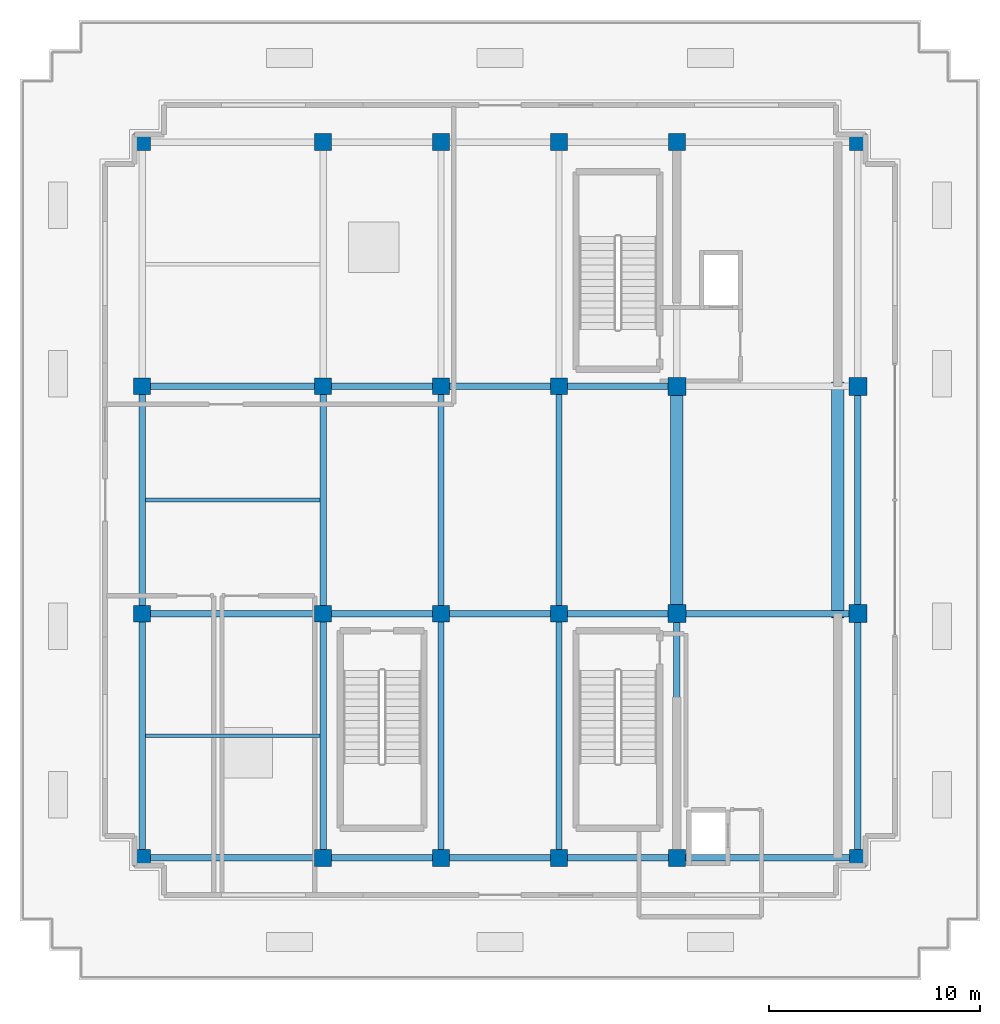
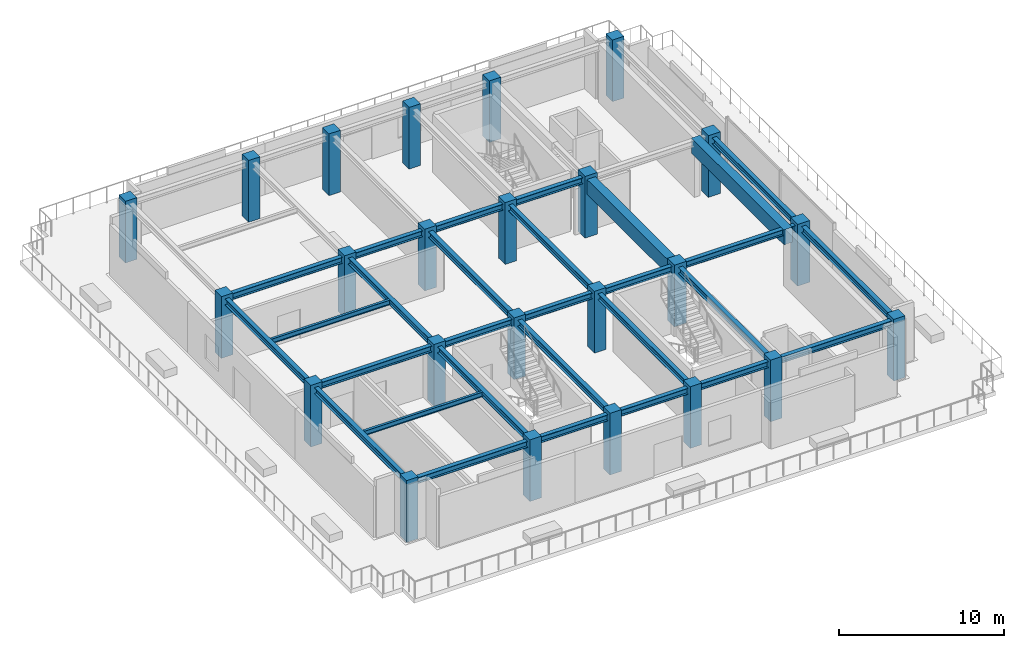
# One storey, part 1 of 13: 29 beams, 24 columns.
"""IFC4 building model written with IfcOpenShell, lengths in metres."""

import ifcopenshell
import ifcopenshell.guid

model = None  # the IFC model being written
_history = None  # IfcOwnerHistory: only IFC2X3 demands one
_inside = {}  # id of a spatial element -> (the spatial element, [elements in it])
_under = {}  # id of a project, library or spatial element -> (it, [spatial elements below it])
_declared = {}  # id of a project -> (the project, [libraries it declares])
_typed = {}  # id of a type object -> (the type object, [elements of that type])
_made_of = {}  # id of a material, layer set ... -> (it, [elements and type objects made of it])


def new_model(schema):
    """Start an empty IFC model of exactly this schema.

    Asked for "IFC4X3", IfcOpenShell would pick the latest addendum, in which some entities
    have other attributes; the version numbers below select the first issue.
    IFC2X3 requires an IfcOwnerHistory on every rooted entity: one is made here for all.
    """
    global model, _history
    if schema == "IFC4X3":
        model = ifcopenshell.file(schema_version=(4, 3, 0, 0))
    else:
        model = ifcopenshell.file(schema=schema)
    _inside.clear()
    _under.clear()
    _declared.clear()
    _typed.clear()
    _made_of.clear()
    _history = None
    if model.schema == "IFC2X3":
        org = make("IfcOrganization", Name="unknown")
        user = make(
            "IfcPersonAndOrganization",
            ThePerson=make("IfcPerson", FamilyName="unknown"),
            TheOrganization=org,
        )
        app = make(
            "IfcApplication",
            ApplicationDeveloper=org,
            Version="unknown",
            ApplicationFullName="unknown",
            ApplicationIdentifier="unknown",
        )
        _history = make(
            "IfcOwnerHistory",
            OwningUser=user,
            OwningApplication=app,
            ChangeAction="ADDED",
            CreationDate=0,
        )
    return model


def make(cls, **values):
    """One entity of the class cls with the attributes given. An attribute that is None is left unset."""
    return model.create_entity(
        cls, **{name: value for name, value in values.items() if value is not None}
    )


def rooted(cls, **values):
    """An entity with a GlobalId (a new one), such as an element, a storey or a relation."""
    return make(cls, GlobalId=ifcopenshell.guid.new(), OwnerHistory=_history, **values)


def si_unit(unit_type, name, prefix=None):
    """IfcSIUnit, for example si_unit("LENGTHUNIT", "METRE", prefix="MILLI")."""
    return make("IfcSIUnit", UnitType=unit_type, Prefix=prefix, Name=name)


def assignment(units):
    """IfcUnitAssignment: the units of a project."""
    return None if units is None else make("IfcUnitAssignment", Units=units)


def point(xyz):
    """IfcCartesianPoint."""
    return None if xyz is None else make("IfcCartesianPoint", Coordinates=xyz)


def direction(xyz):
    """IfcDirection."""
    return None if xyz is None else make("IfcDirection", DirectionRatios=xyz)


def frame(location, z_axis=None, x_axis=None):
    """IfcAxis2Placement3D, a coordinate frame: its origin and axes. An axis left out is left unset."""
    return make(
        "IfcAxis2Placement3D",
        Location=point(location),
        Axis=direction(z_axis),
        RefDirection=direction(x_axis),
    )


def frame_2d(location, x_axis=None):
    """IfcAxis2Placement2D, a coordinate frame in the plane: its origin and x axis."""
    return make(
        "IfcAxis2Placement2D", Location=point(location), RefDirection=direction(x_axis)
    )


def origin():
    """The frame at (0, 0, 0) with its axes left unset."""
    return frame((0.0, 0.0, 0.0))


def origin_2d():
    """The frame at (0, 0) in the plane with its x axis left unset."""
    return frame_2d((0.0, 0.0))


def place(relative_to, where):
    """IfcLocalPlacement: puts the frame where relative to a parent placement (None: the world)."""
    return make(
        "IfcLocalPlacement", PlacementRelTo=relative_to, RelativePlacement=where
    )


def context(
    kind, dimensions, precision=None, world=None, true_north=None, identifier=None
):
    """IfcGeometricRepresentationContext, for example the 3D "Model" context."""
    return make(
        "IfcGeometricRepresentationContext",
        ContextIdentifier=identifier,
        ContextType=kind,
        CoordinateSpaceDimension=dimensions,
        Precision=precision,
        WorldCoordinateSystem=world,
        TrueNorth=true_north,
    )


def subcontext(parent, identifier, kind, view, scale=None):
    """IfcGeometricRepresentationSubContext, for example "Body" below "Model"."""
    return make(
        "IfcGeometricRepresentationSubContext",
        ContextIdentifier=identifier,
        ContextType=kind,
        ParentContext=parent,
        TargetScale=scale,
        TargetView=view,
    )


def project(units=None, contexts=None):
    """IfcProject with its units and contexts."""
    return rooted(
        "IfcProject",
        Name="project",
        RepresentationContexts=contexts,
        UnitsInContext=assignment(units),
    )


def spatial(cls, under=None, at=None, **own):
    """A site, building, storey or space (cls), placed at a placement, below another one or the project."""
    s = rooted(cls, ObjectPlacement=at, **own)
    if under is not None:
        _under.setdefault(under.id(), (under, []))[1].append(s)
    return s


def profile(cls, at=None, kind="AREA", **sizes):
    """A parametric profile (cls). Its sizes go by their IFC names, for example OverallWidth=200.0."""
    return make(cls, ProfileType=kind, Position=at, **sizes)


def rectangle(**sizes):
    """IfcRectangleProfileDef."""
    return profile("IfcRectangleProfileDef", **sizes)


def i_section(**sizes):
    """IfcIShapeProfileDef."""
    return profile("IfcIShapeProfileDef", **sizes)


def extrude(swept, where, along, depth):
    """IfcExtrudedAreaSolid: the profile swept, set in the frame where, extruded along a direction by depth."""
    return make(
        "IfcExtrudedAreaSolid",
        SweptArea=swept,
        Position=where,
        ExtrudedDirection=direction(along),
        Depth=depth,
    )


def shape(context_of_items, identifier, shape_type, items):
    """IfcShapeRepresentation: the items that make up one representation, for example the "Body"."""
    return make(
        "IfcShapeRepresentation",
        ContextOfItems=context_of_items,
        RepresentationIdentifier=identifier,
        RepresentationType=shape_type,
        Items=items,
    )


def source(mapping_origin, context_of_items, identifier, shape_type, items):
    """IfcRepresentationMap: a shape defined once, which mapped items show again and again."""
    return make(
        "IfcRepresentationMap",
        MappingOrigin=mapping_origin,
        MappedRepresentation=shape(context_of_items, identifier, shape_type, items),
    )


def transform(
    local_origin,
    x_axis=None,
    y_axis=None,
    z_axis=None,
    scale=None,
    scale2=None,
    scale3=None,
    uniform=True,
):
    """IfcCartesianTransformationOperator3D, or its non-uniform kind. x_axis, y_axis, z_axis: its Axis1, 2, 3."""
    if uniform:
        return make(
            "IfcCartesianTransformationOperator3D",
            Axis1=direction(x_axis),
            Axis2=direction(y_axis),
            LocalOrigin=point(local_origin),
            Scale=scale,
            Axis3=direction(z_axis),
        )
    return make(
        "IfcCartesianTransformationOperator3DnonUniform",
        Axis1=direction(x_axis),
        Axis2=direction(y_axis),
        LocalOrigin=point(local_origin),
        Scale=scale,
        Axis3=direction(z_axis),
        Scale2=scale2,
        Scale3=scale3,
    )


def mapped(mapping_source, mapping_target):
    """IfcMappedItem: shows the shape of a source again, moved by a transform."""
    return make(
        "IfcMappedItem", MappingSource=mapping_source, MappingTarget=mapping_target
    )


def material(Name=None, Category=None):
    """IfcMaterial."""
    return make("IfcMaterial", Name=Name, Category=Category)


def material_profile(
    of_material, cross_section, Name=None, Category=None, Priority=None
):
    """IfcMaterialProfile: a cross section and its material."""
    return make(
        "IfcMaterialProfile",
        Name=Name,
        Material=of_material,
        Profile=cross_section,
        Priority=Priority,
        Category=Category,
    )


def profile_set(profiles, Name=None, composite=None):
    """IfcMaterialProfileSet."""
    return make(
        "IfcMaterialProfileSet",
        Name=Name,
        MaterialProfiles=profiles,
        CompositeProfile=composite,
    )


def made_of(thing, what):
    """Note that an element or type object is made of a material, layer set ...; save() writes the relation."""
    if what is not None:
        _made_of.setdefault(what.id(), (what, []))[1].append(thing)
    return thing


def type_object(cls, material=None, **own):
    """A type object (cls), such as IfcWallType, which elements share."""
    return made_of(rooted(cls, **own), material)


def element(
    cls,
    number,
    at=None,
    inside=None,
    cuts=None,
    type_object=None,
    material=None,
    context=None,
    identifier="Body",
    shape_type=None,
    held_by="IfcProductDefinitionShape",
    body=None,
    shapes=None,
    **own,
):
    """One element of the class cls, such as IfcWall. Its Tag is "e" and its number.

    at: its placement. inside: the storey or other place that contains it. cuts: it is an
    opening in that element (IfcRelVoidsElement). A single representation is given by context,
    identifier, shape_type and body (its items); several are given by shapes. held_by: the class
    of the entity that holds the representations. save() writes the other relations.
    """
    e = rooted(cls, Tag="e%d" % number, ObjectPlacement=at, **own)
    if body is not None:
        shapes = [shape(context, identifier, shape_type, body)]
    if shapes is not None:
        e.Representation = make(held_by, Representations=shapes)
    if inside is not None:
        _inside.setdefault(inside.id(), (inside, []))[1].append(e)
    if cuts is not None:
        rooted(
            "IfcRelVoidsElement", RelatingBuildingElement=cuts, RelatedOpeningElement=e
        )
    if type_object is not None:
        _typed.setdefault(type_object.id(), (type_object, []))[1].append(e)
    return made_of(e, material)


def aggregate(whole, parts):
    """IfcRelAggregates: a whole, such as a stair, and the parts it consists of."""
    return rooted("IfcRelAggregates", RelatingObject=whole, RelatedObjects=parts)


def save(model, path):
    """Write the relations noted so far, then the file.

    IfcRelAggregates (storeys below a building ...), IfcRelContainedInSpatialStructure (elements
    in a storey), IfcRelDefinesByType, IfcRelAssociatesMaterial and IfcRelDeclares: one each for
    every whole, place, type object, material and project.
    """
    for whole, parts in _under.values():
        aggregate(whole, parts)
    for where, things in _inside.values():
        rooted(
            "IfcRelContainedInSpatialStructure",
            RelatedElements=things,
            RelatingStructure=where,
        )
    for kind, things in _typed.values():
        rooted("IfcRelDefinesByType", RelatedObjects=things, RelatingType=kind)
    for what, things in _made_of.values():
        rooted("IfcRelAssociatesMaterial", RelatedObjects=things, RelatingMaterial=what)
    for by, libraries in _declared.values():
        rooted("IfcRelDeclares", RelatingContext=by, RelatedDefinitions=libraries)
    model.write(path)


model = new_model("IFC4")

# Units and contexts
model_context = context("Model", 3, precision=1e-05, world=origin(), true_north=direction((0.0, 1.0)))
body_context = subcontext(model_context, "Body", "Model", "MODEL_VIEW")
ifc_project = project(units=[si_unit("LENGTHUNIT", "METRE"), si_unit("AREAUNIT", "SQUARE_METRE"), si_unit("VOLUMEUNIT", "CUBIC_METRE"), si_unit("PLANEANGLEUNIT", "RADIAN"), si_unit("MASSUNIT", "GRAM", prefix="KILO")], contexts=[model_context])

# Site, building, storey
site_placement = place(None, origin())
site = spatial("IfcSite", under=ifc_project, at=site_placement, CompositionType="ELEMENT")
building_placement = place(site_placement, origin())
building = spatial("IfcBuilding", under=site, at=building_placement, Name="Nahalor Promenade Grand Hotel", CompositionType="ELEMENT")
storey_placement = place(building_placement, frame((0.0, 0.0, 357.050048828125)))
storey = spatial("IfcBuildingStorey", under=building, at=storey_placement, Name="L91", CompositionType="ELEMENT", Elevation=357.050048828125)

# Columns
ifc_material_1 = material(Name="Concrete B-50 (C40/50)", Category="concrete")
ifc_material_profile_1 = material_profile(ifc_material_1, rectangle(XDim=0.8, YDim=0.8, at=origin_2d()), Name="RC 800x800")
ifc_profile_set_1 = profile_set([ifc_material_profile_1], Name="Concrete B-50 (C40/50)")
column_type_1 = type_object("IfcColumnType", Name="Col-RC-800", PredefinedType="COLUMN", material=ifc_profile_set_1)
shared_shape_1 = source(origin(), body_context, "Body", "SweptSolid", [
    extrude(rectangle(XDim=0.8, YDim=0.8, at=origin_2d()), origin(), (0.0, 0.0, 1.0), 4.554931640625),
])
for number, where, z_axis, x_axis, name in (
    (1, (-17.0, -17.0, 0.0), (0.0, 0.0, 1.0), (1.0, 0.0, 0.0), "COL-L91-I00"),
    (2, (-17.0, -5.39990234375, 0.0), (0.0, 0.0, 1.0), (1.0, 0.0, 0.0), "COL-L91-I01"),
    (3, (-17.0, 5.39990234375, 0.0), (0.0, 0.0, 1.0), (1.0, 0.0, 0.0), "COL-L91-I02"),
    (4, (-17.0, 17.0, 0.0), (0.0, 0.0, 1.0), (1.0, 0.0, 0.0), "COL-L91-I03"),
    (5, (-8.39990234375, -17.0, 0.0), (0.0, 0.0, 1.0), (1.0, 0.0, 0.0), "COL-L91-I10"),
    (6, (-8.39990234375, -5.39990234375, 0.0), (0.0, 0.0, 1.0), (1.0, 0.0, 0.0), "COL-L91-I11"),
    (7, (-8.39990234375, 5.39990234375, 0.0), (0.0, 0.0, 1.0), (1.0, 0.0, 0.0), "COL-L91-I12"),
    (8, (-8.39990234375, 17.0, 0.0), (0.0, 0.0, 1.0), (1.0, 0.0, 0.0), "COL-L91-I13"),
    (9, (-2.800048828125, -17.0, 0.0), (0.0, 0.0, 1.0), (1.0, 0.0, 0.0), "COL-L91-I20"),
    (10, (-2.800048828125, -5.39990234375, 0.0), (0.0, 0.0, 1.0), (1.0, 0.0, 0.0), "COL-L91-I21"),
    (11, (-2.800048828125, 5.39990234375, 0.0), (0.0, 0.0, 1.0), (1.0, 0.0, 0.0), "COL-L91-I22"),
    (12, (-2.800048828125, 17.0, 0.0), (0.0, 0.0, 1.0), (1.0, 0.0, 0.0), "COL-L91-I23"),
    (13, (2.800048828125, -17.0, 0.0), (0.0, 0.0, 1.0), (1.0, 0.0, 0.0), "COL-L91-I30"),
    (14, (2.800048828125, -5.39990234375, 0.0), (0.0, 0.0, 1.0), (1.0, 0.0, 0.0), "COL-L91-I31"),
    (15, (2.800048828125, 5.39990234375, 0.0), (0.0, 0.0, 1.0), (1.0, 0.0, 0.0), "COL-L91-I32"),
    (16, (2.800048828125, 17.0, 0.0), (0.0, 0.0, 1.0), (1.0, 0.0, 0.0), "COL-L91-I33"),
    (17, (8.39990234375, -17.0, 0.0), (0.0, 0.0, 1.0), (1.0, 0.0, 0.0), "COL-L91-I40"),
    (18, (8.39990234375, 17.0, 0.0), (0.0, 0.0, 1.0), (1.0, 0.0, 0.0), "COL-L91-I43"),
    (19, (17.0, -17.0, 0.0), (0.0, 0.0, 1.0), (1.0, 0.0, 0.0), "COL-L91-I50"),
    (20, (17.0, 17.0, 0.0), (0.0, 0.0, 1.0), (1.0, 0.0, 0.0), "COL-L91-I53"),
):
    element("IfcColumn", number, at=place(storey_placement, frame(where, z_axis=z_axis, x_axis=x_axis)), inside=storey, type_object=column_type_1, Name=name, PredefinedType="COLUMN", context=body_context, shape_type="MappedRepresentation", body=[
        mapped(shared_shape_1, transform((0.0, 0.0, 0.0), scale=1.0)),
    ])
ifc_material_2 = material(Name="Concrete B-70 (C60/75)", Category="concrete")
ifc_material_profile_2 = material_profile(ifc_material_2, rectangle(XDim=0.85, YDim=0.85, at=origin_2d()), Name="RC 850x850")
ifc_profile_set_2 = profile_set([ifc_material_profile_2], Name="Concrete B-70 (C60/75)")
column_type_2 = type_object("IfcColumnType", Name="Col-Pilaster-850", PredefinedType="PILASTER", material=ifc_profile_set_2)
shared_shape_2 = source(origin(), body_context, "Body", "SweptSolid", [
    extrude(rectangle(XDim=0.85, YDim=0.85, at=origin_2d()), origin(), (0.0, 0.0, 1.0), 4.554931640625),
])
for number, where, z_axis, x_axis, name in (
    (21, (8.39990234375, -5.39990234375, 0.0), (0.0, 0.0, 1.0), (1.0, 0.0, 0.0), "COL-L91-I41"),
    (22, (8.39990234375, 5.39990234375, 0.0), (0.0, 0.0, 1.0), (1.0, 0.0, 0.0), "COL-L91-I42"),
    (23, (17.0, -5.39990234375, 0.0), (0.0, 0.0, 1.0), (1.0, 0.0, 0.0), "COL-L91-I51"),
    (24, (17.0, 5.39990234375, 0.0), (0.0, 0.0, 1.0), (1.0, 0.0, 0.0), "COL-L91-I52"),
):
    element("IfcColumn", number, at=place(storey_placement, frame(where, z_axis=z_axis, x_axis=x_axis)), inside=storey, type_object=column_type_2, Name=name, PredefinedType="PILASTER", context=body_context, shape_type="MappedRepresentation", body=[
        mapped(shared_shape_2, transform((0.0, 0.0, 0.0), scale=1.0)),
    ])

# Beams
ifc_material_3 = material(Name="Concrete B-60 (C50/60)", Category="concrete")
ifc_material_profile_3 = material_profile(ifc_material_3, rectangle(XDim=0.6, YDim=1.1, at=origin_2d()), Name="RC 600x1100")
ifc_profile_set_3 = profile_set([ifc_material_profile_3], Name="Concrete B-60 (C50/60)")
beam_type_1 = type_object("IfcBeamType", Name="Beam-Lintel-RC1100", PredefinedType="LINTEL", material=ifc_profile_set_3)
shared_shape_3 = source(origin(), body_context, "Body", "SweptSolid", [
    extrude(rectangle(XDim=0.6, YDim=1.1, at=origin_2d()), origin(), (0.0, 0.0, 1.0), 11.2001953125),
])
for number, where, z_axis, x_axis, name in (
    (25, (8.39990234375, -5.60009765625, 3.75), (0.0, 1.0, 0.0), (-1.0, 0.0, 0.0), "BM-L91-LINT-W"),
    (26, (16.050048828125, -5.60009765625, 3.75), (0.0, 1.0, 0.0), (-1.0, 0.0, 0.0), "BM-L91-LINT-E"),
):
    element("IfcBeam", number, at=place(storey_placement, frame(where, z_axis=z_axis, x_axis=x_axis)), inside=storey, type_object=beam_type_1, Name=name, PredefinedType="LINTEL", context=body_context, shape_type="MappedRepresentation", body=[
        mapped(shared_shape_3, transform((0.0, 0.0, 0.0), scale=1.0)),
    ])
ifc_material_4 = material(Name="Steel S355JR", Category="steel")
ifc_material_profile_4 = material_profile(ifc_material_4, i_section(OverallWidth=0.3, OverallDepth=0.45, WebThickness=0.014, FlangeThickness=0.026, at=origin_2d()), Name="HEB 450")
ifc_profile_set_4 = profile_set([ifc_material_profile_4], Name="Steel S355JR")
beam_type_2 = type_object("IfcBeamType", Name="Beam-Girder-HEB450", PredefinedType="BEAM", material=ifc_profile_set_4)
shared_shape_4 = source(origin(), body_context, "Body", "SweptSolid", [
    extrude(i_section(OverallWidth=0.3, OverallDepth=0.45, WebThickness=0.014, FlangeThickness=0.026, at=origin_2d()), origin(), (0.0, 0.0, 1.0), 8.60009765625),
])
for number, where, z_axis, x_axis, name in (
    (27, (-17.0, -17.0, 4.074951171875), (1.0, 0.0, 0.0), (0.0, 1.0, 0.0), "BM-L91-GX-0-0"),
    (28, (8.39990234375, -17.0, 4.074951171875), (1.0, 0.0, 0.0), (0.0, 1.0, 0.0), "BM-L91-GX-0-4"),
    (29, (-17.0, -5.39990234375, 4.074951171875), (1.0, 0.0, 0.0), (0.0, 1.0, 0.0), "BM-L91-GX-1-0"),
    (30, (8.39990234375, -5.39990234375, 4.074951171875), (1.0, 0.0, 0.0), (0.0, 1.0, 0.0), "BM-L91-GX-1-4"),
    (31, (-17.0, 5.39990234375, 4.074951171875), (1.0, 0.0, 0.0), (0.0, 1.0, 0.0), "BM-L91-GX-2-0"),
):
    element("IfcBeam", number, at=place(storey_placement, frame(where, z_axis=z_axis, x_axis=x_axis)), inside=storey, type_object=beam_type_2, Name=name, PredefinedType="BEAM", context=body_context, shape_type="MappedRepresentation", body=[
        mapped(shared_shape_4, transform((0.0, 0.0, 0.0), scale=1.0)),
    ])
shared_shape_5 = source(origin(), body_context, "Body", "SweptSolid", [
    extrude(i_section(OverallWidth=0.3, OverallDepth=0.45, WebThickness=0.014, FlangeThickness=0.026, at=origin_2d()), origin(), (0.0, 0.0, 1.0), 5.599853515625),
])
for number, where, z_axis, x_axis, name in (
    (32, (-8.39990234375, -17.0, 4.074951171875), (1.0, 0.0, 0.0), (0.0, 1.0, 0.0), "BM-L91-GX-0-1"),
    (33, (2.800048828125, -17.0, 4.074951171875), (1.0, 0.0, 0.0), (0.0, 1.0, 0.0), "BM-L91-GX-0-3"),
    (34, (-8.39990234375, -5.39990234375, 4.074951171875), (1.0, 0.0, 0.0), (0.0, 1.0, 0.0), "BM-L91-GX-1-1"),
    (35, (2.800048828125, -5.39990234375, 4.074951171875), (1.0, 0.0, 0.0), (0.0, 1.0, 0.0), "BM-L91-GX-1-3"),
    (36, (-8.39990234375, 5.39990234375, 4.074951171875), (1.0, 0.0, 0.0), (0.0, 1.0, 0.0), "BM-L91-GX-2-1"),
    (37, (2.800048828125, 5.39990234375, 4.074951171875), (1.0, 0.0, 0.0), (0.0, 1.0, 0.0), "BM-L91-GX-2-3"),
):
    element("IfcBeam", number, at=place(storey_placement, frame(where, z_axis=z_axis, x_axis=x_axis)), inside=storey, type_object=beam_type_2, Name=name, PredefinedType="BEAM", context=body_context, shape_type="MappedRepresentation", body=[
        mapped(shared_shape_5, transform((0.0, 0.0, 0.0), scale=1.0)),
    ])
shared_shape_6 = source(origin(), body_context, "Body", "SweptSolid", [
    extrude(i_section(OverallWidth=0.3, OverallDepth=0.45, WebThickness=0.014, FlangeThickness=0.026, at=origin_2d()), origin(), (0.0, 0.0, 1.0), 5.60009765625),
])
for number, where, z_axis, x_axis, name in (
    (38, (-2.800048828125, -17.0, 4.074951171875), (1.0, 0.0, 0.0), (0.0, 1.0, 0.0), "BM-L91-GX-0-2"),
    (39, (-2.800048828125, -5.39990234375, 4.074951171875), (1.0, 0.0, 0.0), (0.0, 1.0, 0.0), "BM-L91-GX-1-2"),
    (40, (-2.800048828125, 5.39990234375, 4.074951171875), (1.0, 0.0, 0.0), (0.0, 1.0, 0.0), "BM-L91-GX-2-2"),
):
    element("IfcBeam", number, at=place(storey_placement, frame(where, z_axis=z_axis, x_axis=x_axis)), inside=storey, type_object=beam_type_2, Name=name, PredefinedType="BEAM", context=body_context, shape_type="MappedRepresentation", body=[
        mapped(shared_shape_6, transform((0.0, 0.0, 0.0), scale=1.0)),
    ])
shared_shape_7 = source(origin(), body_context, "Body", "SweptSolid", [
    extrude(i_section(OverallWidth=0.3, OverallDepth=0.45, WebThickness=0.014, FlangeThickness=0.026, at=origin_2d()), origin(), (0.0, 0.0, 1.0), 11.60009765625),
])
for number, where, z_axis, x_axis, name in (
    (41, (-17.0, -17.0, 4.074951171875), (0.0, 1.0, 0.0), (-1.0, 0.0, 0.0), "BM-L91-GY-0-0"),
    (42, (-8.39990234375, -17.0, 4.074951171875), (0.0, 1.0, 0.0), (-1.0, 0.0, 0.0), "BM-L91-GY-1-0"),
    (43, (-2.800048828125, -17.0, 4.074951171875), (0.0, 1.0, 0.0), (-1.0, 0.0, 0.0), "BM-L91-GY-2-0"),
    (44, (2.800048828125, -17.0, 4.074951171875), (0.0, 1.0, 0.0), (-1.0, 0.0, 0.0), "BM-L91-GY-3-0"),
    (45, (8.39990234375, -17.0, 4.074951171875), (0.0, 1.0, 0.0), (-1.0, 0.0, 0.0), "BM-L91-GY-4-0"),
    (46, (17.0, -17.0, 4.074951171875), (0.0, 1.0, 0.0), (-1.0, 0.0, 0.0), "BM-L91-GY-5-0"),
):
    element("IfcBeam", number, at=place(storey_placement, frame(where, z_axis=z_axis, x_axis=x_axis)), inside=storey, type_object=beam_type_2, Name=name, PredefinedType="BEAM", context=body_context, shape_type="MappedRepresentation", body=[
        mapped(shared_shape_7, transform((0.0, 0.0, 0.0), scale=1.0)),
    ])
shared_shape_8 = source(origin(), body_context, "Body", "SweptSolid", [
    extrude(i_section(OverallWidth=0.3, OverallDepth=0.45, WebThickness=0.014, FlangeThickness=0.026, at=origin_2d()), origin(), (0.0, 0.0, 1.0), 10.7998046875),
])
for number, where, z_axis, x_axis, name in (
    (47, (-17.0, -5.39990234375, 4.074951171875), (0.0, 1.0, 0.0), (-1.0, 0.0, 0.0), "BM-L91-GY-0-1"),
    (48, (-8.39990234375, -5.39990234375, 4.074951171875), (0.0, 1.0, 0.0), (-1.0, 0.0, 0.0), "BM-L91-GY-1-1"),
    (49, (-2.800048828125, -5.39990234375, 4.074951171875), (0.0, 1.0, 0.0), (-1.0, 0.0, 0.0), "BM-L91-GY-2-1"),
    (50, (2.800048828125, -5.39990234375, 4.074951171875), (0.0, 1.0, 0.0), (-1.0, 0.0, 0.0), "BM-L91-GY-3-1"),
    (51, (17.0, -5.39990234375, 4.074951171875), (0.0, 1.0, 0.0), (-1.0, 0.0, 0.0), "BM-L91-GY-5-1"),
):
    element("IfcBeam", number, at=place(storey_placement, frame(where, z_axis=z_axis, x_axis=x_axis)), inside=storey, type_object=beam_type_2, Name=name, PredefinedType="BEAM", context=body_context, shape_type="MappedRepresentation", body=[
        mapped(shared_shape_8, transform((0.0, 0.0, 0.0), scale=1.0)),
    ])
ifc_material_profile_5 = material_profile(ifc_material_4, i_section(OverallWidth=0.17, OverallDepth=0.36, WebThickness=0.008, FlangeThickness=0.0127, at=origin_2d()), Name="IPE 360")
ifc_profile_set_5 = profile_set([ifc_material_profile_5], Name="Steel S355JR")
beam_type_3 = type_object("IfcBeamType", Name="Beam-Joist-IPE360", PredefinedType="JOIST", material=ifc_profile_set_5)
shared_shape_9 = source(origin(), body_context, "Body", "SweptSolid", [
    extrude(i_section(OverallWidth=0.17, OverallDepth=0.36, WebThickness=0.008, FlangeThickness=0.0127, at=origin_2d()), origin(), (0.0, 0.0, 1.0), 8.300048828125),
])
for number, where, z_axis, x_axis, name in (
    (52, (-16.85009765625, -11.199951171875, 4.119873046875), (1.0, 0.0, 0.0), (0.0, 1.0, 0.0), "BM-L91-JSW-0-1"),
    (53, (-16.85009765625, 0.0, 4.119873046875), (1.0, 0.0, 0.0), (0.0, 1.0, 0.0), "BM-L91-JSC-0"),
):
    element("IfcBeam", number, at=place(storey_placement, frame(where, z_axis=z_axis, x_axis=x_axis)), inside=storey, type_object=beam_type_3, Name=name, PredefinedType="JOIST", context=body_context, shape_type="MappedRepresentation", body=[
        mapped(shared_shape_9, transform((0.0, 0.0, 0.0), scale=1.0)),
    ])

save(model, "model.ifc")
